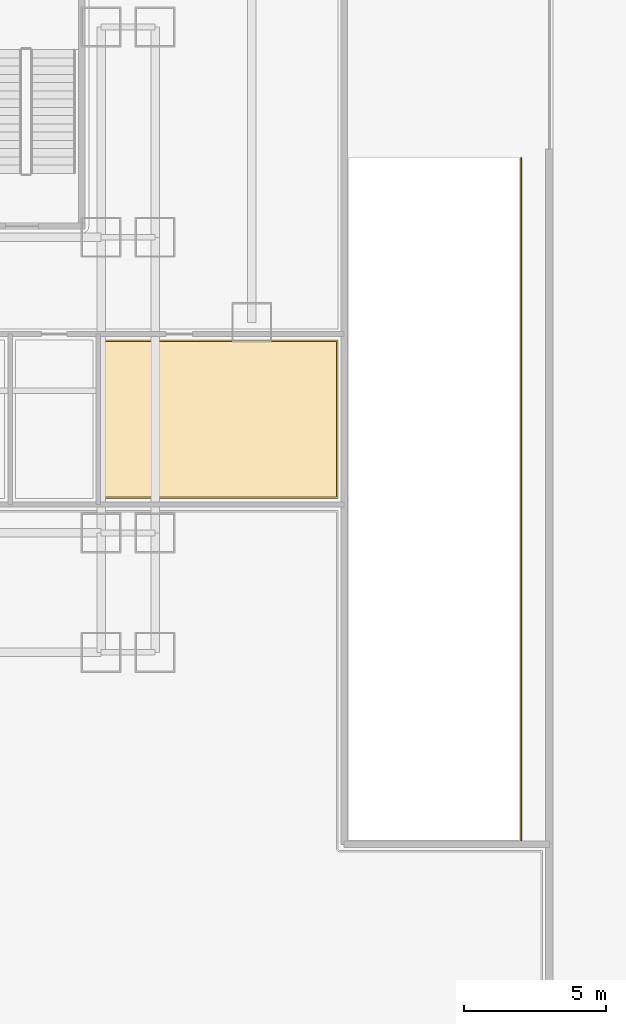
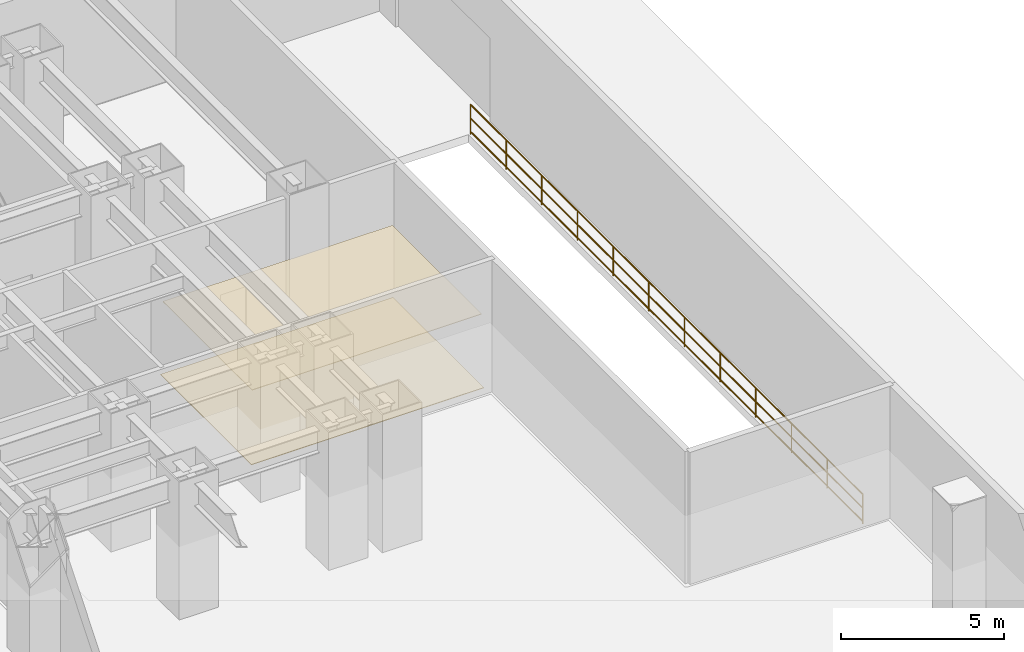
# One storey, part 17 of 18: 2 coverings, 1 railing.
"""IFC4 building model written with IfcOpenShell, lengths in metres."""

from ifc_helpers import new_model, si_unit, direction, frame, origin, origin_2d, place, context, subcontext, project, spatial, polyline, circle, outline, extrude, material, layer, layer_set, type_object, element, save


model = new_model("IFC4")

# Units and contexts
model_context = context("Model", 3, precision=1e-05, world=origin(), true_north=direction((0.0, 1.0)))
body_context = subcontext(model_context, "Body", "Model", "MODEL_VIEW")
ifc_project = project(units=[si_unit("LENGTHUNIT", "METRE"), si_unit("AREAUNIT", "SQUARE_METRE"), si_unit("VOLUMEUNIT", "CUBIC_METRE"), si_unit("PLANEANGLEUNIT", "RADIAN"), si_unit("MASSUNIT", "GRAM", prefix="KILO")], contexts=[model_context])

# Site, building, storey
site_placement = place(None, origin())
site = spatial("IfcSite", under=ifc_project, at=site_placement, CompositionType="ELEMENT")
building_placement = place(site_placement, origin())
building = spatial("IfcBuilding", under=site, at=building_placement, Name="Qianlan Lanfeng Residences", CompositionType="ELEMENT")
storey_placement = place(building_placement, origin())
storey = spatial("IfcBuildingStorey", under=building, at=storey_placement, Name="L00", CompositionType="ELEMENT", Elevation=0.0)

# Coverings
ifc_material_1 = material(Name="Acoustic Perforated Gypsum Ceiling Board")
ifc_layer_1 = layer(ifc_material_1, 0.02001953125)
ifc_layer_set_1 = layer_set([ifc_layer_1], Name="Acoustic Perforated Gypsum Ceiling Board")
covering_type_1 = type_object("IfcCoveringType", Name="CLG-GYP-15", PredefinedType="CEILING", material=ifc_layer_set_1)
covering_1_placement = place(storey_placement, frame((0.0, 0.0, 2.75)))
element("IfcCovering", 1, at=covering_1_placement, inside=storey, type_object=covering_type_1, Name="L00 Management Office Suspended Ceiling", PredefinedType="CEILING", context=body_context, shape_type="SweptSolid", body=[
    extrude(outline(polyline([(47.840087890625, 16.06005859375), (55.97998046875, 16.06005859375), (55.97998046875, 21.5400390625), (47.840087890625, 21.5400390625), (47.840087890625, 16.06005859375)])), origin(), (0.0, 0.0, 1.0), 0.02001953125),
])
ifc_material_2 = material(Name="Engineered Smoked Oak Timber Flooring", Category="wood")
ifc_layer_2 = layer(ifc_material_2, 0.02197265625)
ifc_layer_set_2 = layer_set([ifc_layer_2], Name="Engineered Smoked Oak Timber Flooring")
covering_type_2 = type_object("IfcCoveringType", Name="FLR-TIM-22", PredefinedType="FLOORING", material=ifc_layer_set_2)
covering_2_placement = place(storey_placement, origin())
element("IfcCovering", 2, at=covering_2_placement, inside=storey, type_object=covering_type_2, Name="L00 Management Office Floor Finish", PredefinedType="FLOORING", context=body_context, shape_type="SweptSolid", body=[
    extrude(outline(polyline([(47.7900390625, 16.010009765625), (56.030029296875, 16.010009765625), (56.030029296875, 21.590087890625), (47.7900390625, 21.590087890625), (47.7900390625, 16.010009765625)])), origin(), (0.0, 0.0, 1.0), 0.02197265625),
])

# Railing
ifc_material_3 = material(Name="Painted Galvanised Steel Guardrail", Category="steel")
railing_type = type_object("IfcRailingType", Name="GR-ST-1120", PredefinedType="GUARDRAIL", material=ifc_material_3)
railing_placement = place(storey_placement, frame((62.47998046875, 3.919921875, 0.0)))
element("IfcRailing", 3, at=railing_placement, inside=storey, type_object=railing_type, Name="L00 Ramp Opening East Ledge Guard", PredefinedType="GUARDRAIL", context=body_context, shape_type="SweptSolid", body=[
    extrude(circle(Radius=0.02392578125, at=origin_2d()), frame((0.0, 0.0, 0.083984375), z_axis=(0.0, 1.0, 0.0), x_axis=(-1.0, 0.0, 0.0)), (0.0, 0.0, 1.0), 24.080078125),
    extrude(circle(Radius=0.02392578125, at=origin_2d()), frame((0.0, 0.0, 0.58251953125), z_axis=(0.0, 1.0, 0.0), x_axis=(-1.0, 0.0, 0.0)), (0.0, 0.0, 1.0), 24.080078125),
    extrude(circle(Radius=0.02392578125, at=origin_2d()), frame((0.0, 0.0, 1.09619140625), z_axis=(0.0, 1.0, 0.0), x_axis=(-1.0, 0.0, 0.0)), (0.0, 0.0, 1.0), 24.080078125),
    extrude(circle(Radius=0.02099609375, at=origin_2d()), origin(), (0.0, 0.0, 1.0), 1.072021484375),
    extrude(circle(Radius=0.02099609375, at=origin_2d()), frame((0.0, 2.189208984375, 0.0)), (0.0, 0.0, 1.0), 1.072021484375),
    extrude(circle(Radius=0.02099609375, at=origin_2d()), frame((0.0, 4.378173828125, 0.0)), (0.0, 0.0, 1.0), 1.072021484375),
    extrude(circle(Radius=0.02099609375, at=origin_2d()), frame((0.0, 6.5673828125, 0.0)), (0.0, 0.0, 1.0), 1.072021484375),
    extrude(circle(Radius=0.02099609375, at=origin_2d()), frame((0.0, 8.75634765625, 0.0)), (0.0, 0.0, 1.0), 1.072021484375),
    extrude(circle(Radius=0.02099609375, at=origin_2d()), frame((0.0, 10.945556640625, 0.0)), (0.0, 0.0, 1.0), 1.072021484375),
    extrude(circle(Radius=0.02099609375, at=origin_2d()), frame((0.0, 13.134521484375, 0.0)), (0.0, 0.0, 1.0), 1.072021484375),
    extrude(circle(Radius=0.02099609375, at=origin_2d()), frame((0.0, 15.32373046875, 0.0)), (0.0, 0.0, 1.0), 1.072021484375),
    extrude(circle(Radius=0.02099609375, at=origin_2d()), frame((0.0, 17.5126953125, 0.0)), (0.0, 0.0, 1.0), 1.072021484375),
    extrude(circle(Radius=0.02099609375, at=origin_2d()), frame((0.0, 19.701904296875, 0.0)), (0.0, 0.0, 1.0), 1.072021484375),
    extrude(circle(Radius=0.02099609375, at=origin_2d()), frame((0.0, 21.890869140625, 0.0)), (0.0, 0.0, 1.0), 1.072021484375),
    extrude(circle(Radius=0.02099609375, at=origin_2d()), frame((0.0, 24.080078125, 0.0)), (0.0, 0.0, 1.0), 1.072021484375),
])

save(model, "model.ifc")
